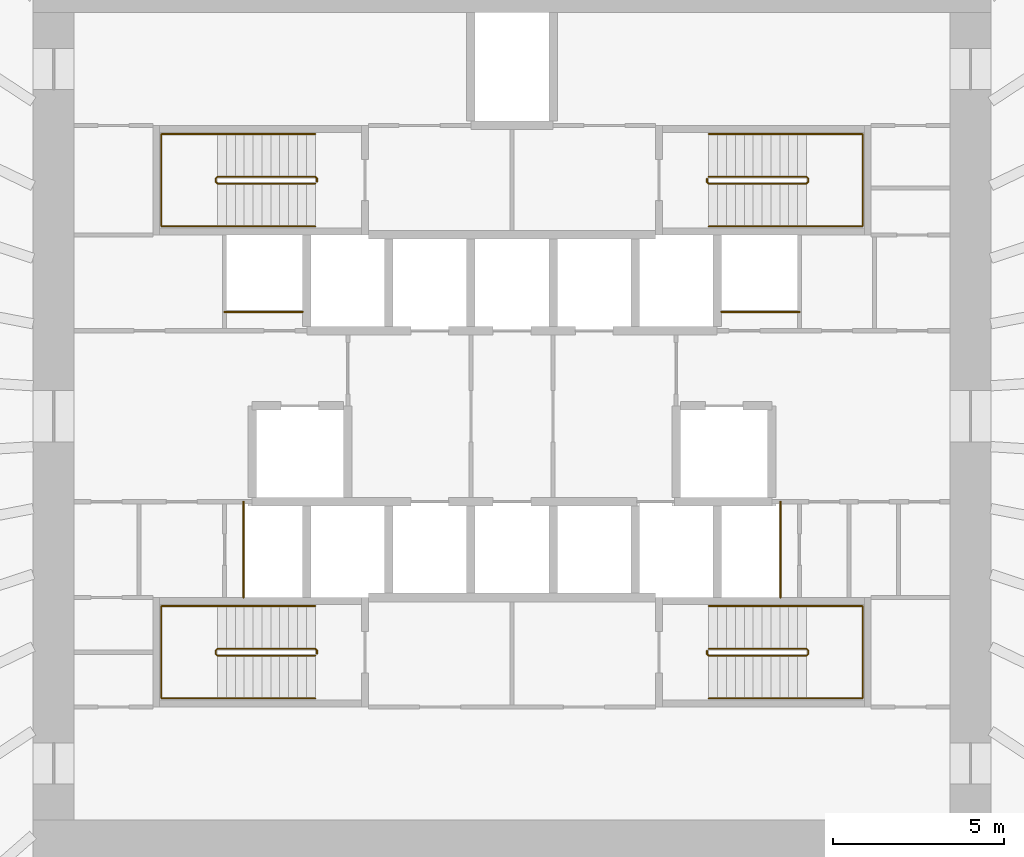
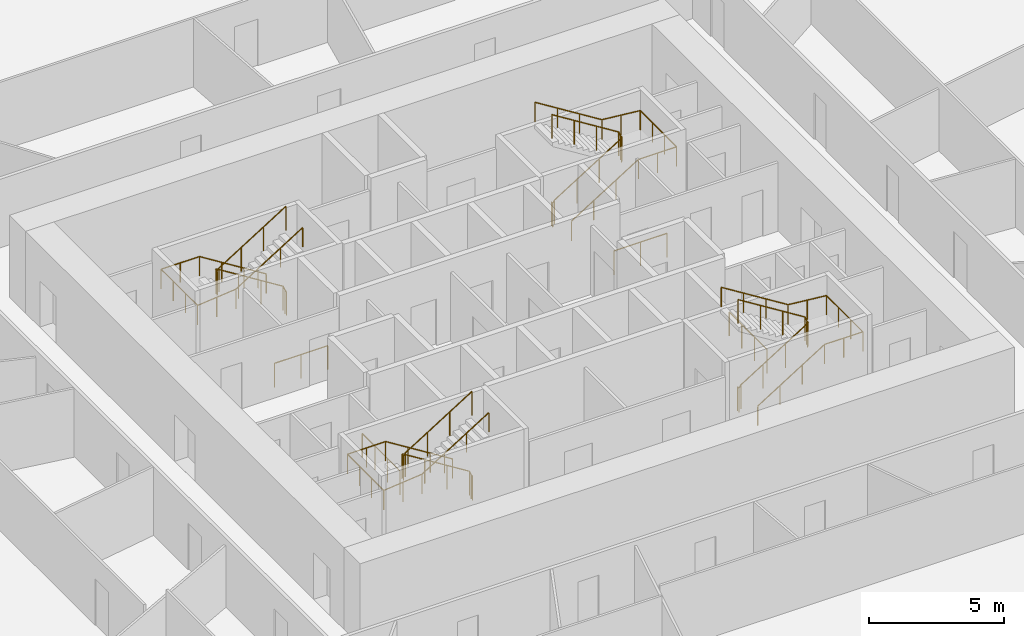
# One storey, part 11 of 11: 12 railings.
"""IFC4 building model written with IfcOpenShell, lengths in metres."""

from ifc_helpers import new_model, si_unit, direction, frame, origin, origin_2d, place, context, subcontext, project, spatial, circle, extrude, source, transform, mapped, material, type_object, element, save


model = new_model("IFC4")

# Units and contexts
model_context = context("Model", 3, precision=1e-05, world=origin(), true_north=direction((0.0, 1.0)))
body_context = subcontext(model_context, "Body", "Model", "MODEL_VIEW")
ifc_project = project(units=[si_unit("LENGTHUNIT", "METRE"), si_unit("AREAUNIT", "SQUARE_METRE"), si_unit("VOLUMEUNIT", "CUBIC_METRE"), si_unit("PLANEANGLEUNIT", "RADIAN"), si_unit("MASSUNIT", "GRAM", prefix="KILO")], contexts=[model_context])

# Site, building, storey
site_placement = place(None, origin())
site = spatial("IfcSite", under=ifc_project, at=site_placement, CompositionType="ELEMENT")
building_placement = place(site_placement, origin())
building = spatial("IfcBuilding", under=site, at=building_placement, Name="Embergate Tower", CompositionType="ELEMENT")
storey_placement = place(building_placement, frame((0.0, 0.0, 62.0)))
storey = spatial("IfcBuildingStorey", under=building, at=storey_placement, Name="L11", CompositionType="ELEMENT", Elevation=62.0)

# Railings
ifc_material_1 = material(Name="Stair guard 1100")
railing_type_1 = type_object("IfcRailingType", Name="Stair guard 1100", PredefinedType="GUARDRAIL", material=ifc_material_1)
shared_shape_1 = source(origin(), body_context, "Body", "SweptSolid", [
    extrude(circle(Radius=0.02392578125, at=origin_2d()), frame((0.0, 0.0, 1.076171875), z_axis=(0.0, 1.0, 0.0), x_axis=(-1.0, 0.0, 0.0)), (0.0, 0.0, 1.0), 0.099853515625),
    extrude(circle(Radius=0.02392578125, at=origin_2d()), frame((0.0, 0.099853515625, 1.076171875), z_axis=(-0.282227285176, 0.282227285176, 0.916894497205), x_axis=(-0.707106781187, -0.707106781187, 0.0)), (0.0, 0.0, 1.0), 0.17724609375),
    extrude(circle(Radius=0.02392578125, at=origin_2d()), frame((-0.050048828125, 0.14990234375, 1.23876953125), z_axis=(-0.848026770018, 0.0, 0.529953391661), x_axis=(0.0, -1.0, 0.0)), (0.0, 0.0, 1.0), 3.37255859375),
    extrude(circle(Radius=0.02392578125, at=origin_2d()), frame((-2.91015625, 0.14990234375, 3.02587890625), z_axis=(-0.705375805398, -0.708833529934, 0.0), x_axis=(0.708833529934, -0.705375805398, 0.0)), (0.0, 0.0, 1.0), 0.070556640625),
    extrude(circle(Radius=0.02392578125, at=origin_2d()), frame((-2.9599609375, 0.099853515625, 3.02587890625), z_axis=(0.0, -1.0, 0.0), x_axis=(1.0, 0.0, 0.0)), (0.0, 0.0, 1.0), 0.099853515625),
    extrude(circle(Radius=0.02392578125, at=origin_2d()), frame((-2.9599609375, 0.0, 3.02587890625), z_axis=(0.280959487676, -0.282336740067, 0.917250092119), x_axis=(0.708833529934, 0.705375805398, 0.0)), (0.0, 0.0, 1.0), 0.17724609375),
    extrude(circle(Radius=0.02392578125, at=origin_2d()), frame((-2.91015625, -0.050048828125, 3.1884765625), z_axis=(0.848026770018, 0.0, 0.529953391661), x_axis=(0.0, 1.0, 0.0)), (0.0, 0.0, 1.0), 3.37255859375),
    extrude(circle(Radius=0.02099609375, at=origin_2d()), origin(), (0.0, 0.0, 1.0), 1.052001953125),
    extrude(circle(Radius=0.02099609375, at=origin_2d()), frame((0.0, 0.099853515625, 0.0)), (0.0, 0.0, 1.0), 1.052001953125),
    extrude(circle(Radius=0.02099609375, at=origin_2d()), frame((-0.050048828125, 0.14990234375, 0.16259765625)), (0.0, 0.0, 1.0), 1.052001953125),
    extrude(circle(Radius=0.02099609375, at=origin_2d()), frame((-1.00341796875, 0.14990234375, 0.75830078125)), (0.0, 0.0, 1.0), 1.052001953125),
    extrude(circle(Radius=0.02099609375, at=origin_2d()), frame((-1.956787109375, 0.14990234375, 1.354248046875)), (0.0, 0.0, 1.0), 1.052001953125),
    extrude(circle(Radius=0.02099609375, at=origin_2d()), frame((-2.91015625, 0.14990234375, 1.949951171875)), (0.0, 0.0, 1.0), 1.052001953125),
    extrude(circle(Radius=0.02099609375, at=origin_2d()), frame((-2.9599609375, 0.099853515625, 1.949951171875)), (0.0, 0.0, 1.0), 1.052001953125),
    extrude(circle(Radius=0.02099609375, at=origin_2d()), frame((-2.9599609375, 0.0, 1.949951171875)), (0.0, 0.0, 1.0), 1.052001953125),
    extrude(circle(Radius=0.02099609375, at=origin_2d()), frame((-2.91015625, -0.050048828125, 2.112548828125)), (0.0, 0.0, 1.0), 1.052001953125),
    extrude(circle(Radius=0.02099609375, at=origin_2d()), frame((-1.956787109375, -0.050048828125, 2.708251953125)), (0.0, 0.0, 1.0), 1.052001953125),
    extrude(circle(Radius=0.02099609375, at=origin_2d()), frame((-1.00341796875, -0.050048828125, 3.30419921875)), (0.0, 0.0, 1.0), 1.052001953125),
    extrude(circle(Radius=0.02099609375, at=origin_2d()), frame((-0.050048828125, -0.050048828125, 3.89990234375)), (0.0, 0.0, 1.0), 1.052001953125),
])
for number, where, name in (
    (1, (-5.699951171875, 6.85009765625, 0.0), "L11 ST1 stair guard 1"),
    (2, (-5.699951171875, -6.949951171875, 0.0), "L11 ST3 stair guard 1"),
):
    element("IfcRailing", number, at=place(storey_placement, frame(where)), inside=storey, type_object=railing_type_1, Name=name, PredefinedType="GUARDRAIL", context=body_context, shape_type="MappedRepresentation", body=[
        mapped(shared_shape_1, transform((0.0, 0.0, 0.0))),
    ])
ifc_material_2 = material(Name="Stair handrail 900")
railing_type_2 = type_object("IfcRailingType", Name="Stair handrail 900", PredefinedType="HANDRAIL", material=ifc_material_2)
shared_shape_2 = source(origin(), body_context, "Body", "SweptSolid", [
    extrude(circle(Radius=0.02392578125, at=origin_2d()), frame((0.0, 0.0, 0.8759765625), z_axis=(-0.848026770018, 0.0, 0.529953391661), x_axis=(0.0, -1.0, 0.0)), (0.0, 0.0, 1.0), 3.37255859375),
    extrude(circle(Radius=0.02392578125, at=origin_2d()), frame((-2.860107421875, 0.0, 2.6630859375), z_axis=(-1.0, 0.0, 0.0), x_axis=(0.0, -1.0, 0.0)), (0.0, 0.0, 1.0), 1.639892578125),
    extrude(circle(Radius=0.02392578125, at=origin_2d()), frame((-4.5, 0.0, 2.6630859375), z_axis=(0.0, -1.0, 0.0), x_axis=(1.0, 0.0, 0.0)), (0.0, 0.0, 1.0), 2.699951171875),
    extrude(circle(Radius=0.02392578125, at=origin_2d()), frame((-4.5, -2.699951171875, 2.6630859375), z_axis=(0.995120448088, 0.0, 0.098667592441), x_axis=(0.0, 1.0, 0.0)), (0.0, 0.0, 1.0), 1.64794921875),
    extrude(circle(Radius=0.02392578125, at=origin_2d()), frame((-2.860107421875, -2.699951171875, 2.82568359375), z_axis=(0.848026770018, 0.0, 0.529953391661), x_axis=(0.0, 1.0, 0.0)), (0.0, 0.0, 1.0), 3.37255859375),
    extrude(circle(Radius=0.02099609375, at=origin_2d()), origin(), (0.0, 0.0, 1.0), 0.851806640625),
    extrude(circle(Radius=0.02099609375, at=origin_2d()), frame((-0.953369140625, 0.0, 0.595703125)), (0.0, 0.0, 1.0), 0.851806640625),
    extrude(circle(Radius=0.02099609375, at=origin_2d()), frame((-1.90673828125, 0.0, 1.191650390625)), (0.0, 0.0, 1.0), 0.851806640625),
    extrude(circle(Radius=0.02099609375, at=origin_2d()), frame((-2.860107421875, 0.0, 1.787353515625)), (0.0, 0.0, 1.0), 0.851806640625),
    extrude(circle(Radius=0.02099609375, at=origin_2d()), frame((-3.68017578125, 0.0, 1.787353515625)), (0.0, 0.0, 1.0), 0.851806640625),
    extrude(circle(Radius=0.02099609375, at=origin_2d()), frame((-4.5, 0.0, 1.787353515625)), (0.0, 0.0, 1.0), 0.851806640625),
    extrude(circle(Radius=0.02099609375, at=origin_2d()), frame((-4.5, -0.89990234375, 1.787353515625)), (0.0, 0.0, 1.0), 0.851806640625),
    extrude(circle(Radius=0.02099609375, at=origin_2d()), frame((-4.5, -1.800048828125, 1.787353515625)), (0.0, 0.0, 1.0), 0.851806640625),
    extrude(circle(Radius=0.02099609375, at=origin_2d()), frame((-4.5, -2.699951171875, 1.787353515625)), (0.0, 0.0, 1.0), 0.851806640625),
    extrude(circle(Radius=0.02099609375, at=origin_2d()), frame((-3.68017578125, -2.699951171875, 1.86865234375)), (0.0, 0.0, 1.0), 0.851806640625),
    extrude(circle(Radius=0.02099609375, at=origin_2d()), frame((-2.860107421875, -2.699951171875, 1.949951171875)), (0.0, 0.0, 1.0), 0.851806640625),
    extrude(circle(Radius=0.02099609375, at=origin_2d()), frame((-1.90673828125, -2.699951171875, 2.545654296875)), (0.0, 0.0, 1.0), 0.851806640625),
    extrude(circle(Radius=0.02099609375, at=origin_2d()), frame((-0.953369140625, -2.699951171875, 3.1416015625)), (0.0, 0.0, 1.0), 0.851806640625),
    extrude(circle(Radius=0.02099609375, at=origin_2d()), frame((0.0, -2.699951171875, 3.7373046875)), (0.0, 0.0, 1.0), 0.851806640625),
])
for number, where, name in (
    (3, (-5.75, 8.25, 0.16259765625), "L11 ST1 stair handrail 1"),
    (4, (-5.75, -5.550048828125, 0.16259765625), "L11 ST3 stair handrail 1"),
):
    element("IfcRailing", number, at=place(storey_placement, frame(where)), inside=storey, type_object=railing_type_2, Name=name, PredefinedType="HANDRAIL", context=body_context, shape_type="MappedRepresentation", body=[
        mapped(shared_shape_2, transform((0.0, 0.0, 0.0))),
    ])
shared_shape_3 = source(origin(), body_context, "Body", "SweptSolid", [
    extrude(circle(Radius=0.02392578125, at=origin_2d()), frame((0.0, 0.0, 1.076171875), z_axis=(0.0, -1.0, 0.0), x_axis=(1.0, 0.0, 0.0)), (0.0, 0.0, 1.0), 0.099853515625),
    extrude(circle(Radius=0.02392578125, at=origin_2d()), frame((0.0, -0.099853515625, 1.076171875), z_axis=(0.282227285176, -0.282227285176, 0.916894497205), x_axis=(0.707106781187, 0.707106781187, 0.0)), (0.0, 0.0, 1.0), 0.17724609375),
    extrude(circle(Radius=0.02392578125, at=origin_2d()), frame((0.050048828125, -0.14990234375, 1.23876953125), z_axis=(0.848026770018, 0.0, 0.529953391661), x_axis=(0.0, 1.0, 0.0)), (0.0, 0.0, 1.0), 3.37255859375),
    extrude(circle(Radius=0.02392578125, at=origin_2d()), frame((2.91015625, -0.14990234375, 3.02587890625), z_axis=(0.705375805398, 0.708833529934, 0.0), x_axis=(-0.708833529934, 0.705375805398, 0.0)), (0.0, 0.0, 1.0), 0.070556640625),
    extrude(circle(Radius=0.02392578125, at=origin_2d()), frame((2.9599609375, -0.099853515625, 3.02587890625), z_axis=(0.0, 1.0, 0.0), x_axis=(-1.0, 0.0, 0.0)), (0.0, 0.0, 1.0), 0.099853515625),
    extrude(circle(Radius=0.02392578125, at=origin_2d()), frame((2.9599609375, 0.0, 3.02587890625), z_axis=(-0.280959487676, 0.282336740067, 0.917250092119), x_axis=(-0.708833529934, -0.705375805398, 0.0)), (0.0, 0.0, 1.0), 0.17724609375),
    extrude(circle(Radius=0.02392578125, at=origin_2d()), frame((2.91015625, 0.050048828125, 3.1884765625), z_axis=(-0.848026770018, 0.0, 0.529953391661), x_axis=(0.0, -1.0, 0.0)), (0.0, 0.0, 1.0), 3.37255859375),
    extrude(circle(Radius=0.02099609375, at=origin_2d()), origin(), (0.0, 0.0, 1.0), 1.052001953125),
    extrude(circle(Radius=0.02099609375, at=origin_2d()), frame((0.0, -0.099853515625, 0.0)), (0.0, 0.0, 1.0), 1.052001953125),
    extrude(circle(Radius=0.02099609375, at=origin_2d()), frame((0.050048828125, -0.14990234375, 0.16259765625)), (0.0, 0.0, 1.0), 1.052001953125),
    extrude(circle(Radius=0.02099609375, at=origin_2d()), frame((1.00341796875, -0.14990234375, 0.75830078125)), (0.0, 0.0, 1.0), 1.052001953125),
    extrude(circle(Radius=0.02099609375, at=origin_2d()), frame((1.956787109375, -0.14990234375, 1.354248046875)), (0.0, 0.0, 1.0), 1.052001953125),
    extrude(circle(Radius=0.02099609375, at=origin_2d()), frame((2.91015625, -0.14990234375, 1.949951171875)), (0.0, 0.0, 1.0), 1.052001953125),
    extrude(circle(Radius=0.02099609375, at=origin_2d()), frame((2.9599609375, -0.099853515625, 1.949951171875)), (0.0, 0.0, 1.0), 1.052001953125),
    extrude(circle(Radius=0.02099609375, at=origin_2d()), frame((2.9599609375, 0.0, 1.949951171875)), (0.0, 0.0, 1.0), 1.052001953125),
    extrude(circle(Radius=0.02099609375, at=origin_2d()), frame((2.91015625, 0.050048828125, 2.112548828125)), (0.0, 0.0, 1.0), 1.052001953125),
    extrude(circle(Radius=0.02099609375, at=origin_2d()), frame((1.956787109375, 0.050048828125, 2.708251953125)), (0.0, 0.0, 1.0), 1.052001953125),
    extrude(circle(Radius=0.02099609375, at=origin_2d()), frame((1.00341796875, 0.050048828125, 3.30419921875)), (0.0, 0.0, 1.0), 1.052001953125),
    extrude(circle(Radius=0.02099609375, at=origin_2d()), frame((0.050048828125, 0.050048828125, 3.89990234375)), (0.0, 0.0, 1.0), 1.052001953125),
])
for number, where, name in (
    (5, (5.699951171875, 6.949951171875, 0.0), "L11 ST2 stair guard 1"),
    (6, (5.699951171875, -6.85009765625, 0.0), "L11 ST4 stair guard 1"),
):
    element("IfcRailing", number, at=place(storey_placement, frame(where)), inside=storey, type_object=railing_type_1, Name=name, PredefinedType="GUARDRAIL", context=body_context, shape_type="MappedRepresentation", body=[
        mapped(shared_shape_3, transform((0.0, 0.0, 0.0))),
    ])
shared_shape_4 = source(origin(), body_context, "Body", "SweptSolid", [
    extrude(circle(Radius=0.02392578125, at=origin_2d()), frame((0.0, 0.0, 0.8759765625), z_axis=(0.848026770018, 0.0, 0.529953391661), x_axis=(0.0, 1.0, 0.0)), (0.0, 0.0, 1.0), 3.37255859375),
    extrude(circle(Radius=0.02392578125, at=origin_2d()), frame((2.860107421875, 0.0, 2.6630859375), z_axis=(1.0, 0.0, 0.0), x_axis=(0.0, 1.0, 0.0)), (0.0, 0.0, 1.0), 1.639892578125),
    extrude(circle(Radius=0.02392578125, at=origin_2d()), frame((4.5, 0.0, 2.6630859375), z_axis=(0.0, 1.0, 0.0), x_axis=(-1.0, 0.0, 0.0)), (0.0, 0.0, 1.0), 2.699951171875),
    extrude(circle(Radius=0.02392578125, at=origin_2d()), frame((4.5, 2.699951171875, 2.6630859375), z_axis=(-0.995120448088, 0.0, 0.098667592441), x_axis=(0.0, -1.0, 0.0)), (0.0, 0.0, 1.0), 1.64794921875),
    extrude(circle(Radius=0.02392578125, at=origin_2d()), frame((2.860107421875, 2.699951171875, 2.82568359375), z_axis=(-0.848026770018, 0.0, 0.529953391661), x_axis=(0.0, -1.0, 0.0)), (0.0, 0.0, 1.0), 3.37255859375),
    extrude(circle(Radius=0.02099609375, at=origin_2d()), origin(), (0.0, 0.0, 1.0), 0.851806640625),
    extrude(circle(Radius=0.02099609375, at=origin_2d()), frame((0.953369140625, 0.0, 0.595703125)), (0.0, 0.0, 1.0), 0.851806640625),
    extrude(circle(Radius=0.02099609375, at=origin_2d()), frame((1.90673828125, 0.0, 1.191650390625)), (0.0, 0.0, 1.0), 0.851806640625),
    extrude(circle(Radius=0.02099609375, at=origin_2d()), frame((2.860107421875, 0.0, 1.787353515625)), (0.0, 0.0, 1.0), 0.851806640625),
    extrude(circle(Radius=0.02099609375, at=origin_2d()), frame((3.68017578125, 0.0, 1.787353515625)), (0.0, 0.0, 1.0), 0.851806640625),
    extrude(circle(Radius=0.02099609375, at=origin_2d()), frame((4.5, 0.0, 1.787353515625)), (0.0, 0.0, 1.0), 0.851806640625),
    extrude(circle(Radius=0.02099609375, at=origin_2d()), frame((4.5, 0.89990234375, 1.787353515625)), (0.0, 0.0, 1.0), 0.851806640625),
    extrude(circle(Radius=0.02099609375, at=origin_2d()), frame((4.5, 1.800048828125, 1.787353515625)), (0.0, 0.0, 1.0), 0.851806640625),
    extrude(circle(Radius=0.02099609375, at=origin_2d()), frame((4.5, 2.699951171875, 1.787353515625)), (0.0, 0.0, 1.0), 0.851806640625),
    extrude(circle(Radius=0.02099609375, at=origin_2d()), frame((3.68017578125, 2.699951171875, 1.86865234375)), (0.0, 0.0, 1.0), 0.851806640625),
    extrude(circle(Radius=0.02099609375, at=origin_2d()), frame((2.860107421875, 2.699951171875, 1.949951171875)), (0.0, 0.0, 1.0), 0.851806640625),
    extrude(circle(Radius=0.02099609375, at=origin_2d()), frame((1.90673828125, 2.699951171875, 2.545654296875)), (0.0, 0.0, 1.0), 0.851806640625),
    extrude(circle(Radius=0.02099609375, at=origin_2d()), frame((0.953369140625, 2.699951171875, 3.1416015625)), (0.0, 0.0, 1.0), 0.851806640625),
    extrude(circle(Radius=0.02099609375, at=origin_2d()), frame((0.0, 2.699951171875, 3.7373046875)), (0.0, 0.0, 1.0), 0.851806640625),
])
for number, where, name in (
    (7, (5.75, 5.550048828125, 0.16259765625), "L11 ST2 stair handrail 1"),
    (8, (5.75, -8.25, 0.16259765625), "L11 ST4 stair handrail 1"),
):
    element("IfcRailing", number, at=place(storey_placement, frame(where)), inside=storey, type_object=railing_type_2, Name=name, PredefinedType="HANDRAIL", context=body_context, shape_type="MappedRepresentation", body=[
        mapped(shared_shape_4, transform((0.0, 0.0, 0.0))),
    ])
ifc_material_3 = material(Name="Opening guard 1100")
railing_type_3 = type_object("IfcRailingType", Name="Opening guard 1100", PredefinedType="GUARDRAIL", material=ifc_material_3)
shared_shape_5 = source(origin(), body_context, "Body", "SweptSolid", [
    extrude(circle(Radius=0.02392578125, at=origin_2d()), frame((0.0, 0.0, 1.076171875), z_axis=(1.0, 0.0, 0.0), x_axis=(0.0, 1.0, 0.0)), (0.0, 0.0, 1.0), 2.27490234375),
    extrude(circle(Radius=0.02099609375, at=origin_2d()), origin(), (0.0, 0.0, 1.0), 1.052001953125),
    extrude(circle(Radius=0.02099609375, at=origin_2d()), frame((1.137451171875, 0.0, 0.0)), (0.0, 0.0, 1.0), 1.052001953125),
    extrude(circle(Radius=0.02099609375, at=origin_2d()), frame((2.27490234375, 0.0, 0.0)), (0.0, 0.0, 1.0), 1.052001953125),
])
for number, where, name in (
    (9, (-8.39990234375, 3.050048828125, 0.0), "Riser opening guard"),
    (10, (6.125, 3.050048828125, 0.0), "Riser opening guard"),
):
    element("IfcRailing", number, at=place(storey_placement, frame(where)), inside=storey, type_object=railing_type_3, Name=name, PredefinedType="GUARDRAIL", context=body_context, shape_type="MappedRepresentation", body=[
        mapped(shared_shape_5, transform((0.0, 0.0, 0.0))),
    ])
shared_shape_6 = source(origin(), body_context, "Body", "SweptSolid", [
    extrude(circle(Radius=0.02392578125, at=origin_2d()), frame((0.0, 0.0, 1.076171875), z_axis=(0.0, 1.0, 0.0), x_axis=(-1.0, 0.0, 0.0)), (0.0, 0.0, 1.0), 2.800048828125),
    extrude(circle(Radius=0.02099609375, at=origin_2d()), origin(), (0.0, 0.0, 1.0), 1.052001953125),
    extrude(circle(Radius=0.02099609375, at=origin_2d()), frame((0.0, 0.933349609375, 0.0)), (0.0, 0.0, 1.0), 1.052001953125),
    extrude(circle(Radius=0.02099609375, at=origin_2d()), frame((0.0, 1.86669921875, 0.0)), (0.0, 0.0, 1.0), 1.052001953125),
    extrude(circle(Radius=0.02099609375, at=origin_2d()), frame((0.0, 2.800048828125, 0.0)), (0.0, 0.0, 1.0), 1.052001953125),
])
for number, where, name in (
    (11, (-7.85009765625, -5.300048828125, 0.0), "Riser opening guard"),
    (12, (7.85009765625, -5.300048828125, 0.0), "Riser opening guard"),
):
    element("IfcRailing", number, at=place(storey_placement, frame(where)), inside=storey, type_object=railing_type_3, Name=name, PredefinedType="GUARDRAIL", context=body_context, shape_type="MappedRepresentation", body=[
        mapped(shared_shape_6, transform((0.0, 0.0, 0.0))),
    ])

save(model, "model.ifc")
